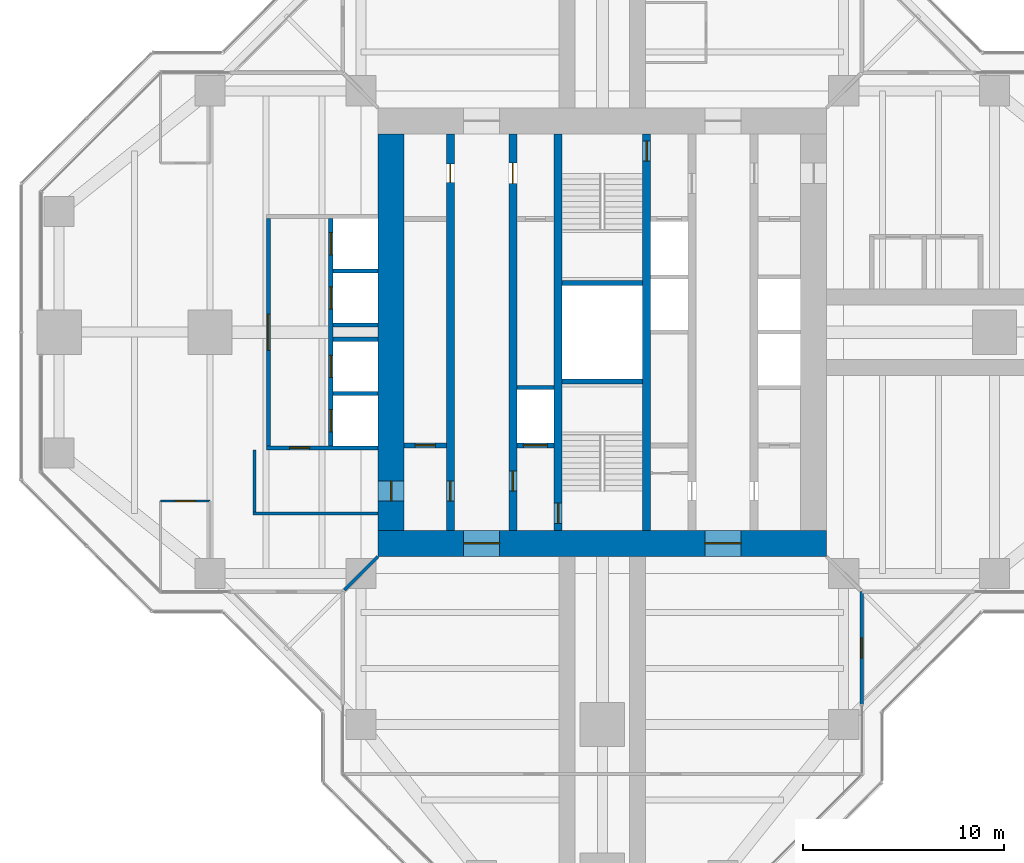
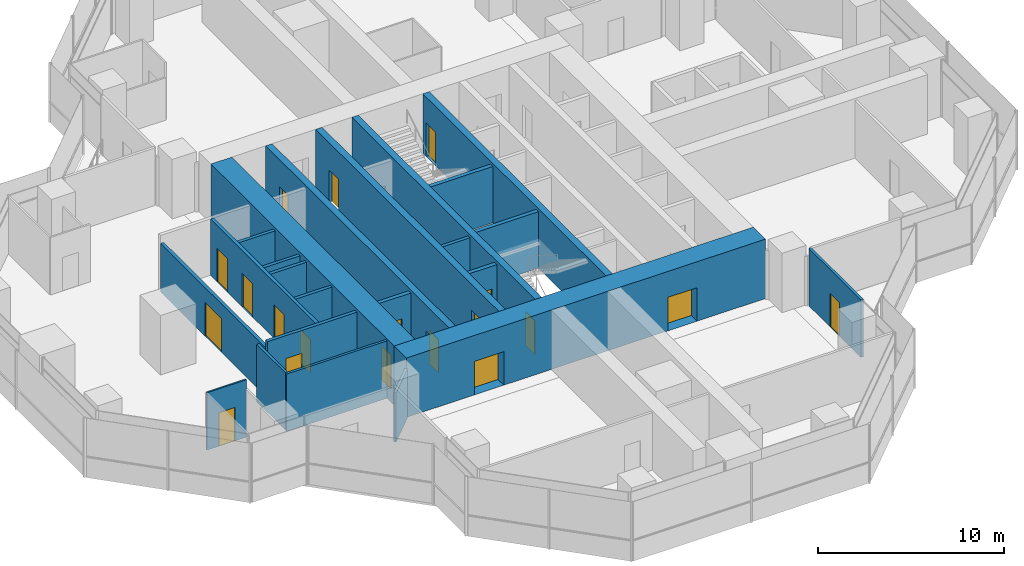
# One storey, part 13 of 17: 23 walls, 19 doors, 19 openings.
"""IFC4 building model written with IfcOpenShell, lengths in metres."""

from ifc_helpers import new_model, si_unit, direction, frame, frame_2d, origin, place, context, subcontext, project, spatial, rectangle, extrude, material, layer, layer_set, type_object, element, fill, save


model = new_model("IFC4")

# Units and contexts
model_context = context("Model", 3, precision=1e-05, world=origin(), true_north=direction((0.0, 1.0)))
body_context = subcontext(model_context, "Body", "Model", "MODEL_VIEW")
ifc_project = project(units=[si_unit("LENGTHUNIT", "METRE"), si_unit("AREAUNIT", "SQUARE_METRE"), si_unit("VOLUMEUNIT", "CUBIC_METRE"), si_unit("PLANEANGLEUNIT", "RADIAN"), si_unit("MASSUNIT", "GRAM", prefix="KILO")], contexts=[model_context])

# Site, building, storey
site_placement = place(None, origin())
site = spatial("IfcSite", under=ifc_project, at=site_placement, CompositionType="ELEMENT")
building_placement = place(site_placement, origin())
building = spatial("IfcBuilding", under=site, at=building_placement, Name="Mizan Broadcast Tower", CompositionType="ELEMENT")
storey_placement = place(building_placement, frame((0.0, 0.0, 212.699951171875)))
storey = spatial("IfcBuildingStorey", under=building, at=storey_placement, Name="L49", CompositionType="ELEMENT", Elevation=212.699951171875)

# Wall, openings, doors
ifc_material_1 = material(Name="Concrete C70/85", Category="concrete")
ifc_layer_1 = layer(ifc_material_1, 0.39990234375)
ifc_layer_set_1 = layer_set([ifc_layer_1], Name="Concrete C70/85")
wall_type_1 = type_object("IfcWallType", Name="CORE INTERNAL WALL 400", PredefinedType="SHEAR", material=ifc_layer_set_1)
wall_1_placement = place(storey_placement, frame((-7.550048828125, -9.85009765625, 0.0), z_axis=(0.0, 0.0, 1.0), x_axis=(0.0, 1.0, 0.0)))
wall_1 = element("IfcWall", 1, at=wall_1_placement, inside=storey, type_object=wall_type_1, Name="Core wall CORE/XW1", PredefinedType="SHEAR", context=body_context, shape_type="SweptSolid", body=[
    extrude(rectangle(XDim=19.7001953125, YDim=0.39990234375, at=frame_2d((9.85009765625, 0.0))), origin(), (0.0, 0.0, 1.0), 3.900146484375),
])
opening_1_placement = place(wall_1_placement, frame((1.449951171875, 0.0, 0.0)))
opening_1 = element("IfcOpeningElement", 2, at=opening_1_placement, cuts=wall_1, Name="Opening D10F", PredefinedType="OPENING", context=body_context, shape_type="SweptSolid", body=[
    extrude(rectangle(XDim=1.0, YDim=2.199951171875, at=frame_2d((0.5, 1.10009765625))), frame((0.0, 0.2099609375, 0.0), z_axis=(0.0, -1.0, 0.0), x_axis=(1.0, 0.0, 0.0)), (0.0, 0.0, 1.0), 0.419921875),
])
opening_2_placement = place(wall_1_placement, frame((17.300048828125, 0.0, 0.0)))
opening_2 = element("IfcOpeningElement", 3, at=opening_2_placement, cuts=wall_1, Name="Opening D09", PredefinedType="OPENING", context=body_context, shape_type="SweptSolid", body=[
    extrude(rectangle(XDim=0.89990234375, YDim=2.10009765625, at=frame_2d((0.449951171875, 1.050048828125))), frame((0.0, 0.2099609375, 0.0), z_axis=(0.0, -1.0, 0.0), x_axis=(1.0, 0.0, 0.0)), (0.0, 0.0, 1.0), 0.419921875),
])
ifc_material_2 = material(Name="Steel door leaf in steel frame", Category="steel")
door_type_1 = type_object("IfcDoorType", Name="FIRE DOOR 1000 FD90", OperationType="SINGLE_SWING_LEFT", PredefinedType="DOOR", material=ifc_material_2)
door_1_placement = place(opening_1_placement, origin())
door_1 = element("IfcDoor", 4, at=door_1_placement, inside=storey, type_object=door_type_1, Name="West core passage door", OperationType="SINGLE_SWING_LEFT", OverallHeight=2.199951171875, OverallWidth=1.0, PredefinedType="DOOR", context=body_context, shape_type="SweptSolid", body=[
    extrude(rectangle(XDim=1.0, YDim=2.199951171875, at=frame_2d((0.5, 1.10009765625))), frame((0.0, 0.02490234375, 0.0), z_axis=(0.0, -1.0, 0.0), x_axis=(1.0, 0.0, 0.0)), (0.0, 0.0, 1.0), 0.050048828125),
])
fill(opening_1, door_1)
ifc_material_3 = material(Name="Timber door leaf in aluminium frame", Category="wood")
door_type_2 = type_object("IfcDoorType", Name="TOILET DOOR 900", OperationType="SINGLE_SWING_LEFT", PredefinedType="DOOR", material=ifc_material_3)
door_2_placement = place(opening_2_placement, origin())
door_2 = element("IfcDoor", 5, at=door_2_placement, inside=storey, type_object=door_type_2, Name="Male WC door", OperationType="SINGLE_SWING_RIGHT", OverallHeight=2.10009765625, OverallWidth=0.89990234375, PredefinedType="DOOR", context=body_context, shape_type="SweptSolid", body=[
    extrude(rectangle(XDim=0.89990234375, YDim=2.10009765625, at=frame_2d((0.449951171875, 1.050048828125))), frame((0.0, 0.02490234375, 0.0), z_axis=(0.0, -1.0, 0.0), x_axis=(1.0, 0.0, 0.0)), (0.0, 0.0, 1.0), 0.050048828125),
])
fill(opening_2, door_2)

wall_2_placement = place(storey_placement, frame((-4.449951171875, -9.85009765625, 0.0), z_axis=(0.0, 0.0, 1.0), x_axis=(0.0, 1.0, 0.0)))
wall_2 = element("IfcWall", 6, at=wall_2_placement, inside=storey, type_object=wall_type_1, Name="Core wall CORE/XWH", PredefinedType="SHEAR", context=body_context, shape_type="SweptSolid", body=[
    extrude(rectangle(XDim=19.7001953125, YDim=0.39990234375, at=frame_2d((9.85009765625, 0.0))), origin(), (0.0, 0.0, 1.0), 3.900146484375),
])
opening_3_placement = place(wall_2_placement, frame((1.949951171875, 0.0, 0.0)))
opening_3 = element("IfcOpeningElement", 7, at=opening_3_placement, cuts=wall_2, Name="Opening D10F", PredefinedType="OPENING", context=body_context, shape_type="SweptSolid", body=[
    extrude(rectangle(XDim=1.0, YDim=2.199951171875, at=frame_2d((0.5, 1.10009765625))), frame((0.0, 0.2099609375, 0.0), z_axis=(0.0, -1.0, 0.0), x_axis=(1.0, 0.0, 0.0)), (0.0, 0.0, 1.0), 0.419921875),
])
opening_4_placement = place(wall_2_placement, frame((17.25, 0.0, 0.0)))
opening_4 = element("IfcOpeningElement", 8, at=opening_4_placement, cuts=wall_2, Name="Opening D10A", PredefinedType="OPENING", context=body_context, shape_type="SweptSolid", body=[
    extrude(rectangle(XDim=1.0, YDim=2.10009765625, at=frame_2d((0.5, 1.050048828125))), frame((0.0, 0.2099609375, 0.0), z_axis=(0.0, -1.0, 0.0), x_axis=(1.0, 0.0, 0.0)), (0.0, 0.0, 1.0), 0.419921875),
])
ifc_material_4 = material(Name="Timber door leaf in aluminium frame", Category="wood")
door_type_3 = type_object("IfcDoorType", Name="ACCESSIBLE WC DOOR 1000", OperationType="SLIDING_TO_LEFT", PredefinedType="DOOR", material=ifc_material_4)
door_3_placement = place(opening_4_placement, origin())
door_3 = element("IfcDoor", 9, at=door_3_placement, inside=storey, type_object=door_type_3, Name="Accessible WC door", OperationType="SLIDING_TO_LEFT", OverallHeight=2.10009765625, OverallWidth=1.0, PredefinedType="DOOR", context=body_context, shape_type="SweptSolid", body=[
    extrude(rectangle(XDim=1.0, YDim=2.10009765625, at=frame_2d((0.5, 1.050048828125))), frame((0.0, 0.02490234375, 0.0), z_axis=(0.0, -1.0, 0.0), x_axis=(1.0, 0.0, 0.0)), (0.0, 0.0, 1.0), 0.050048828125),
])
fill(opening_4, door_3)
door_4_placement = place(opening_3_placement, origin())
door_4 = element("IfcDoor", 10, at=door_4_placement, inside=storey, type_object=door_type_1, Name="Firefighting lobby A door", OperationType="SINGLE_SWING_LEFT", OverallHeight=2.199951171875, OverallWidth=1.0, PredefinedType="DOOR", context=body_context, shape_type="SweptSolid", body=[
    extrude(rectangle(XDim=1.0, YDim=2.199951171875, at=frame_2d((0.5, 1.10009765625))), frame((0.0, 0.02490234375, 0.0), z_axis=(0.0, -1.0, 0.0), x_axis=(1.0, 0.0, 0.0)), (0.0, 0.0, 1.0), 0.050048828125),
])
fill(opening_3, door_4)

# Wall, opening, door
wall_3_placement = place(storey_placement, frame((-2.199951171875, -9.85009765625, 0.0), z_axis=(0.0, 0.0, 1.0), x_axis=(0.0, 1.0, 0.0)))
wall_3 = element("IfcWall", 11, at=wall_3_placement, inside=storey, type_object=wall_type_1, Name="Core wall CORE/XW2", PredefinedType="SHEAR", context=body_context, shape_type="SweptSolid", body=[
    extrude(rectangle(XDim=19.7001953125, YDim=0.39990234375, at=frame_2d((9.85009765625, 0.0))), origin(), (0.0, 0.0, 1.0), 3.900146484375),
])
opening_5_placement = place(wall_3_placement, frame((0.35009765625, 0.0, 0.0)))
opening_5 = element("IfcOpeningElement", 12, at=opening_5_placement, cuts=wall_3, Name="Opening D10S", PredefinedType="OPENING", context=body_context, shape_type="SweptSolid", body=[
    extrude(rectangle(XDim=1.0, YDim=2.199951171875, at=frame_2d((0.5, 1.10009765625))), frame((0.0, 0.2099609375, 0.0), z_axis=(0.0, -1.0, 0.0), x_axis=(1.0, 0.0, 0.0)), (0.0, 0.0, 1.0), 0.419921875),
])
ifc_material_5 = material(Name="Steel door leaf in steel frame", Category="steel")
door_type_4 = type_object("IfcDoorType", Name="STAIR DOOR 1000 FD90S", OperationType="SINGLE_SWING_RIGHT", PredefinedType="DOOR", material=ifc_material_5)
door_5_placement = place(opening_5_placement, origin())
door_5 = element("IfcDoor", 13, at=door_5_placement, inside=storey, type_object=door_type_4, Name="Stair A door", OperationType="SINGLE_SWING_RIGHT", OverallHeight=2.199951171875, OverallWidth=1.0, PredefinedType="DOOR", context=body_context, shape_type="SweptSolid", body=[
    extrude(rectangle(XDim=1.0, YDim=2.199951171875, at=frame_2d((0.5, 1.10009765625))), frame((0.0, 0.02490234375, 0.0), z_axis=(0.0, -1.0, 0.0), x_axis=(1.0, 0.0, 0.0)), (0.0, 0.0, 1.0), 0.050048828125),
])
fill(opening_5, door_5)

wall_4_placement = place(storey_placement, frame((2.199951171875, 9.85009765625, 0.0), z_axis=(0.0, 0.0, 1.0), x_axis=(0.0, -1.0, 0.0)))
wall_4 = element("IfcWall", 14, at=wall_4_placement, inside=storey, type_object=wall_type_1, Name="Core wall CORE/XW2E", PredefinedType="SHEAR", context=body_context, shape_type="SweptSolid", body=[
    extrude(rectangle(XDim=19.7001953125, YDim=0.39990234375, at=frame_2d((9.85009765625, 0.0))), origin(), (0.0, 0.0, 1.0), 3.900146484375),
])
opening_6_placement = place(wall_4_placement, frame((0.35009765625, 0.0, 0.0)))
opening_6 = element("IfcOpeningElement", 15, at=opening_6_placement, cuts=wall_4, Name="Opening D10S", PredefinedType="OPENING", context=body_context, shape_type="SweptSolid", body=[
    extrude(rectangle(XDim=1.0, YDim=2.199951171875, at=frame_2d((0.5, 1.10009765625))), frame((0.0, 0.2099609375, 0.0), z_axis=(0.0, -1.0, 0.0), x_axis=(1.0, 0.0, 0.0)), (0.0, 0.0, 1.0), 0.419921875),
])
door_6_placement = place(opening_6_placement, origin())
door_6 = element("IfcDoor", 16, at=door_6_placement, inside=storey, type_object=door_type_4, Name="Stair B door", OperationType="SINGLE_SWING_RIGHT", OverallHeight=2.199951171875, OverallWidth=1.0, PredefinedType="DOOR", context=body_context, shape_type="SweptSolid", body=[
    extrude(rectangle(XDim=1.0, YDim=2.199951171875, at=frame_2d((0.5, 1.10009765625))), frame((0.0, 0.02490234375, 0.0), z_axis=(0.0, -1.0, 0.0), x_axis=(1.0, 0.0, 0.0)), (0.0, 0.0, 1.0), 0.050048828125),
])
fill(opening_6, door_6)

# Wall, openings, doors
ifc_material_6 = material(Name="Concrete C70/85", Category="concrete")
ifc_layer_2 = layer(ifc_material_6, 1.300048828125)
ifc_layer_set_2 = layer_set([ifc_layer_2], Name="Concrete C70/85")
wall_type_2 = type_object("IfcWallType", Name="CORE WALL 1300", PredefinedType="SHEAR", material=ifc_layer_set_2)
wall_5_placement = place(storey_placement, frame((11.14990234375, -10.5, 0.0), z_axis=(0.0, 0.0, 1.0), x_axis=(-1.0, 0.0, 0.0)))
wall_5 = element("IfcWall", 17, at=wall_5_placement, inside=storey, type_object=wall_type_2, Name="Core wall S L49", PredefinedType="SHEAR", context=body_context, shape_type="SweptSolid", body=[
    extrude(rectangle(XDim=22.2998046875, YDim=1.300048828125, at=frame_2d((11.14990234375, 0.0))), origin(), (0.0, 0.0, 1.0), 3.900146484375),
])
opening_7_placement = place(wall_5_placement, frame((16.25, 0.0, 0.0)))
opening_7 = element("IfcOpeningElement", 18, at=opening_7_placement, cuts=wall_5, Name="Opening D18F", PredefinedType="OPENING", context=body_context, shape_type="SweptSolid", body=[
    extrude(rectangle(XDim=1.800048828125, YDim=2.199951171875, at=frame_2d((0.89990234375, 1.10009765625))), frame((0.0, 0.659912109375, 0.0), z_axis=(0.0, -1.0, 0.0), x_axis=(1.0, 0.0, 0.0)), (0.0, 0.0, 1.0), 1.320068359375),
])
opening_8_placement = place(wall_5_placement, frame((4.25, 0.0, 0.0)))
opening_8 = element("IfcOpeningElement", 19, at=opening_8_placement, cuts=wall_5, Name="Opening D18F", PredefinedType="OPENING", context=body_context, shape_type="SweptSolid", body=[
    extrude(rectangle(XDim=1.800048828125, YDim=2.199951171875, at=frame_2d((0.89990234375, 1.10009765625))), frame((0.0, 0.659912109375, 0.0), z_axis=(0.0, -1.0, 0.0), x_axis=(1.0, 0.0, 0.0)), (0.0, 0.0, 1.0), 1.320068359375),
])
ifc_material_7 = material(Name="Steel door leaf in steel frame", Category="steel")
door_type_5 = type_object("IfcDoorType", Name="LOBBY DOUBLE DOOR 1800 FD90", OperationType="DOUBLE_DOOR_DOUBLE_SWING", PredefinedType="DOOR", material=ifc_material_7)
door_7_placement = place(opening_7_placement, origin())
door_7 = element("IfcDoor", 20, at=door_7_placement, inside=storey, type_object=door_type_5, Name="West lift lobby south door", OperationType="DOUBLE_DOOR_DOUBLE_SWING", OverallHeight=2.199951171875, OverallWidth=1.800048828125, PredefinedType="DOOR", context=body_context, shape_type="SweptSolid", body=[
    extrude(rectangle(XDim=1.800048828125, YDim=2.199951171875, at=frame_2d((0.89990234375, 1.10009765625))), frame((0.0, 0.02490234375, 0.0), z_axis=(0.0, -1.0, 0.0), x_axis=(1.0, 0.0, 0.0)), (0.0, 0.0, 1.0), 0.050048828125),
])
fill(opening_7, door_7)
door_8_placement = place(opening_8_placement, origin())
door_8 = element("IfcDoor", 21, at=door_8_placement, inside=storey, type_object=door_type_5, Name="East lift lobby south door", OperationType="DOUBLE_DOOR_DOUBLE_SWING", OverallHeight=2.199951171875, OverallWidth=1.800048828125, PredefinedType="DOOR", context=body_context, shape_type="SweptSolid", body=[
    extrude(rectangle(XDim=1.800048828125, YDim=2.199951171875, at=frame_2d((0.89990234375, 1.10009765625))), frame((0.0, 0.02490234375, 0.0), z_axis=(0.0, -1.0, 0.0), x_axis=(1.0, 0.0, 0.0)), (0.0, 0.0, 1.0), 0.050048828125),
])
fill(opening_8, door_8)

# Wall, opening, door
wall_6_placement = place(storey_placement, frame((-10.5, 9.85009765625, 0.0), z_axis=(0.0, 0.0, 1.0), x_axis=(0.0, -1.0, 0.0)))
wall_6 = element("IfcWall", 22, at=wall_6_placement, inside=storey, type_object=wall_type_2, Name="Core wall W L49", PredefinedType="SHEAR", context=body_context, shape_type="SweptSolid", body=[
    extrude(rectangle(XDim=19.7001953125, YDim=1.300048828125, at=frame_2d((9.85009765625, 0.0))), origin(), (0.0, 0.0, 1.0), 3.900146484375),
])
opening_9_placement = place(wall_6_placement, frame((17.25, 0.0, 0.0)))
opening_9 = element("IfcOpeningElement", 23, at=opening_9_placement, cuts=wall_6, Name="Opening D10F", PredefinedType="OPENING", context=body_context, shape_type="SweptSolid", body=[
    extrude(rectangle(XDim=1.0, YDim=2.199951171875, at=frame_2d((0.5, 1.10009765625))), frame((0.0, 0.659912109375, 0.0), z_axis=(0.0, -1.0, 0.0), x_axis=(1.0, 0.0, 0.0)), (0.0, 0.0, 1.0), 1.320068359375),
])
door_9_placement = place(opening_9_placement, origin())
door_9 = element("IfcDoor", 24, at=door_9_placement, inside=storey, type_object=door_type_1, Name="West core passage arm door", OperationType="SINGLE_SWING_RIGHT", OverallHeight=2.199951171875, OverallWidth=1.0, PredefinedType="DOOR", context=body_context, shape_type="SweptSolid", body=[
    extrude(rectangle(XDim=1.0, YDim=2.199951171875, at=frame_2d((0.5, 1.10009765625))), frame((0.0, 0.02490234375, 0.0), z_axis=(0.0, -1.0, 0.0), x_axis=(1.0, 0.0, 0.0)), (0.0, 0.0, 1.0), 0.050048828125),
])
fill(opening_9, door_9)

ifc_material_8 = material(Name="Aluminium framed glazed screen", Category="aluminium")
ifc_layer_3 = layer(ifc_material_8, 0.159912109375)
ifc_layer_set_3 = layer_set([ifc_layer_3], Name="Aluminium framed glazed screen")
wall_type_3 = type_object("IfcWallType", Name="GLAZED SCREEN WALL 160", PredefinedType="SOLIDWALL", material=ifc_layer_set_3)
wall_7_placement = place(storey_placement, frame((12.89990234375, -18.5, 0.0), z_axis=(0.0, 0.0, 1.0), x_axis=(0.0, 1.0, 0.0)))
wall_7 = element("IfcWall", 25, at=wall_7_placement, inside=storey, type_object=wall_type_3, Name="Winter garden screen L49 S", PredefinedType="SOLIDWALL", context=body_context, shape_type="SweptSolid", body=[
    extrude(rectangle(XDim=5.60009765625, YDim=0.159912109375, at=frame_2d((2.800048828125, 0.0))), origin(), (0.0, 0.0, 1.0), 3.77001953125),
])
opening_10_placement = place(wall_7_placement, frame((2.300048828125, 0.0, 0.0)))
opening_10 = element("IfcOpeningElement", 26, at=opening_10_placement, cuts=wall_7, Name="Opening WGD", PredefinedType="OPENING", context=body_context, shape_type="SweptSolid", body=[
    extrude(rectangle(XDim=1.0, YDim=2.199951171875, at=frame_2d((0.5, 1.10009765625))), frame((0.0, 0.08984375, 0.0), z_axis=(0.0, -1.0, 0.0), x_axis=(1.0, 0.0, 0.0)), (0.0, 0.0, 1.0), 0.179931640625),
])
ifc_material_9 = material(Name="Aluminium framed glazed door", Category="aluminium")
door_type_6 = type_object("IfcDoorType", Name="WINTER GARDEN DOOR 1000 GLAZED", OperationType="SINGLE_SWING_LEFT", PredefinedType="DOOR", material=ifc_material_9)
door_10_placement = place(opening_10_placement, origin())
door_10 = element("IfcDoor", 27, at=door_10_placement, inside=storey, type_object=door_type_6, Name="Winter garden door L49 S", OperationType="SINGLE_SWING_RIGHT", OverallHeight=2.199951171875, OverallWidth=1.0, PredefinedType="DOOR", context=body_context, shape_type="SweptSolid", body=[
    extrude(rectangle(XDim=1.0, YDim=2.199951171875, at=frame_2d((0.5, 1.10009765625))), frame((0.0, 0.02490234375, 0.0), z_axis=(0.0, -1.0, 0.0), x_axis=(1.0, 0.0, 0.0)), (0.0, 0.0, 1.0), 0.050048828125),
])
fill(opening_10, door_10)

# Wall
ifc_material_10 = material(Name="Concrete blockwork", Category="masonry")
ifc_layer_4 = layer(ifc_material_10, 0.199951171875)
ifc_layer_set_4 = layer_set([ifc_layer_4], Name="Concrete blockwork")
wall_type_4 = type_object("IfcWallType", Name="LIFT SHAFT WALL 200", PredefinedType="SOLIDWALL", material=ifc_layer_set_4)
wall_8_placement = place(storey_placement, frame((-4.25, -2.75, 0.0), z_axis=(0.0, 0.0, 1.0), x_axis=(1.0, 0.0, 0.0)))
element("IfcWall", 28, at=wall_8_placement, inside=storey, type_object=wall_type_4, Name="Lift shaft wall CORE/SW2-1", PredefinedType="SOLIDWALL", context=body_context, shape_type="SweptSolid", body=[
    extrude(rectangle(XDim=1.85009765625, YDim=0.199951171875, at=frame_2d((0.925048828125, 0.0))), origin(), (0.0, 0.0, 1.0), 3.699951171875),
])

# Wall, openings, doors
wall_9_placement = place(storey_placement, frame((-13.5, 5.64990234375, 0.0), z_axis=(0.0, 0.0, 1.0), x_axis=(0.0, -1.0, 0.0)))
wall_9 = element("IfcWall", 29, at=wall_9_placement, inside=storey, type_object=wall_type_4, Name="Lift shaft wall LC/F", PredefinedType="SOLIDWALL", context=body_context, shape_type="SweptSolid", body=[
    extrude(rectangle(XDim=11.2998046875, YDim=0.199951171875, at=frame_2d((5.64990234375, 0.0))), origin(), (0.0, 0.0, 1.0), 3.699951171875),
])
opening_11_placement = place(wall_9_placement, frame((0.699951171875, 0.0, 0.0)))
opening_11 = element("IfcOpeningElement", 30, at=opening_11_placement, cuts=wall_9, Name="Opening LD", PredefinedType="OPENING", context=body_context, shape_type="SweptSolid", body=[
    extrude(rectangle(XDim=1.10009765625, YDim=2.199951171875, at=frame_2d((0.550048828125, 1.10009765625))), frame((0.0, 0.10986328125, 0.0), z_axis=(0.0, -1.0, 0.0), x_axis=(1.0, 0.0, 0.0)), (0.0, 0.0, 1.0), 0.219970703125),
])
opening_12_placement = place(wall_9_placement, frame((3.39990234375, 0.0, 0.0)))
opening_12 = element("IfcOpeningElement", 31, at=opening_12_placement, cuts=wall_9, Name="Opening LD", PredefinedType="OPENING", context=body_context, shape_type="SweptSolid", body=[
    extrude(rectangle(XDim=1.10009765625, YDim=2.199951171875, at=frame_2d((0.550048828125, 1.10009765625))), frame((0.0, 0.10986328125, 0.0), z_axis=(0.0, -1.0, 0.0), x_axis=(1.0, 0.0, 0.0)), (0.0, 0.0, 1.0), 0.219970703125),
])
opening_13_placement = place(wall_9_placement, frame((6.800048828125, 0.0, 0.0)))
opening_13 = element("IfcOpeningElement", 32, at=opening_13_placement, cuts=wall_9, Name="Opening LD", PredefinedType="OPENING", context=body_context, shape_type="SweptSolid", body=[
    extrude(rectangle(XDim=1.10009765625, YDim=2.199951171875, at=frame_2d((0.550048828125, 1.10009765625))), frame((0.0, 0.10986328125, 0.0), z_axis=(0.0, -1.0, 0.0), x_axis=(1.0, 0.0, 0.0)), (0.0, 0.0, 1.0), 0.219970703125),
])
opening_14_placement = place(wall_9_placement, frame((9.5, 0.0, 0.0)))
opening_14 = element("IfcOpeningElement", 33, at=opening_14_placement, cuts=wall_9, Name="Opening LD", PredefinedType="OPENING", context=body_context, shape_type="SweptSolid", body=[
    extrude(rectangle(XDim=1.10009765625, YDim=2.199951171875, at=frame_2d((0.550048828125, 1.10009765625))), frame((0.0, 0.10986328125, 0.0), z_axis=(0.0, -1.0, 0.0), x_axis=(1.0, 0.0, 0.0)), (0.0, 0.0, 1.0), 0.219970703125),
])
ifc_material_11 = material(Name="Steel door leaf in steel frame", Category="steel")
door_type_7 = type_object("IfcDoorType", Name="LIFT LANDING DOOR 1100", OperationType="SLIDING_TO_LEFT", PredefinedType="DOOR", material=ifc_material_11)
door_11_placement = place(opening_11_placement, origin())
door_11 = element("IfcDoor", 34, at=door_11_placement, inside=storey, type_object=door_type_7, Name="Landing door LC1", OperationType="SLIDING_TO_LEFT", OverallHeight=2.199951171875, OverallWidth=1.10009765625, PredefinedType="DOOR", context=body_context, shape_type="SweptSolid", body=[
    extrude(rectangle(XDim=1.10009765625, YDim=2.199951171875, at=frame_2d((0.550048828125, 1.10009765625))), frame((0.0, 0.02490234375, 0.0), z_axis=(0.0, -1.0, 0.0), x_axis=(1.0, 0.0, 0.0)), (0.0, 0.0, 1.0), 0.050048828125),
])
fill(opening_11, door_11)
door_12_placement = place(opening_12_placement, origin())
door_12 = element("IfcDoor", 35, at=door_12_placement, inside=storey, type_object=door_type_7, Name="Landing door LC2", OperationType="SLIDING_TO_LEFT", OverallHeight=2.199951171875, OverallWidth=1.10009765625, PredefinedType="DOOR", context=body_context, shape_type="SweptSolid", body=[
    extrude(rectangle(XDim=1.10009765625, YDim=2.199951171875, at=frame_2d((0.550048828125, 1.10009765625))), frame((0.0, 0.02490234375, 0.0), z_axis=(0.0, -1.0, 0.0), x_axis=(1.0, 0.0, 0.0)), (0.0, 0.0, 1.0), 0.050048828125),
])
fill(opening_12, door_12)
door_13_placement = place(opening_13_placement, origin())
door_13 = element("IfcDoor", 36, at=door_13_placement, inside=storey, type_object=door_type_7, Name="Landing door LC3", OperationType="SLIDING_TO_LEFT", OverallHeight=2.199951171875, OverallWidth=1.10009765625, PredefinedType="DOOR", context=body_context, shape_type="SweptSolid", body=[
    extrude(rectangle(XDim=1.10009765625, YDim=2.199951171875, at=frame_2d((0.550048828125, 1.10009765625))), frame((0.0, 0.02490234375, 0.0), z_axis=(0.0, -1.0, 0.0), x_axis=(1.0, 0.0, 0.0)), (0.0, 0.0, 1.0), 0.050048828125),
])
fill(opening_13, door_13)
door_14_placement = place(opening_14_placement, origin())
door_14 = element("IfcDoor", 37, at=door_14_placement, inside=storey, type_object=door_type_7, Name="Landing door LC4", OperationType="SLIDING_TO_LEFT", OverallHeight=2.199951171875, OverallWidth=1.10009765625, PredefinedType="DOOR", context=body_context, shape_type="SweptSolid", body=[
    extrude(rectangle(XDim=1.10009765625, YDim=2.199951171875, at=frame_2d((0.550048828125, 1.10009765625))), frame((0.0, 0.02490234375, 0.0), z_axis=(0.0, -1.0, 0.0), x_axis=(1.0, 0.0, 0.0)), (0.0, 0.0, 1.0), 0.050048828125),
])
fill(opening_14, door_14)

# Wall, opening, door
wall_10_placement = place(storey_placement, frame((-11.14990234375, -5.75, 0.0), z_axis=(0.0, 0.0, 1.0), x_axis=(-1.0, 0.0, 0.0)))
wall_10 = element("IfcWall", 38, at=wall_10_placement, inside=storey, type_object=wall_type_4, Name="Lift shaft wall LC/S2", PredefinedType="SOLIDWALL", context=body_context, shape_type="SweptSolid", body=[
    extrude(rectangle(XDim=5.550048828125, YDim=0.199951171875, at=frame_2d((2.77490234375, 0.0))), origin(), (0.0, 0.0, 1.0), 3.699951171875),
])
opening_15_placement = place(wall_10_placement, frame((3.39990234375, 0.0, 0.0)))
opening_15 = element("IfcOpeningElement", 39, at=opening_15_placement, cuts=wall_10, Name="Opening D10F", PredefinedType="OPENING", context=body_context, shape_type="SweptSolid", body=[
    extrude(rectangle(XDim=1.0, YDim=2.199951171875, at=frame_2d((0.5, 1.10009765625))), frame((0.0, 0.10986328125, 0.0), z_axis=(0.0, -1.0, 0.0), x_axis=(1.0, 0.0, 0.0)), (0.0, 0.0, 1.0), 0.219970703125),
])
door_15_placement = place(opening_15_placement, origin())
door_15 = element("IfcDoor", 40, at=door_15_placement, inside=storey, type_object=door_type_1, Name="High-rise lobby corridor door", OperationType="SINGLE_SWING_RIGHT", OverallHeight=2.199951171875, OverallWidth=1.0, PredefinedType="DOOR", context=body_context, shape_type="SweptSolid", body=[
    extrude(rectangle(XDim=1.0, YDim=2.199951171875, at=frame_2d((0.5, 1.10009765625))), frame((0.0, 0.02490234375, 0.0), z_axis=(0.0, -1.0, 0.0), x_axis=(1.0, 0.0, 0.0)), (0.0, 0.0, 1.0), 0.050048828125),
])
fill(opening_15, door_15)

# Walls
for number, where, z_axis, x_axis, name in (
    (41, (-11.14990234375, 3.050048828125, 0.0), (0.0, 0.0, 1.0), (-1.0, 0.0, 0.0), "Lift shaft wall LC/SP1"),
    (42, (-11.14990234375, 0.35009765625, 0.0), (0.0, 0.0, 1.0), (-1.0, 0.0, 0.0), "Lift shaft wall LC/SP2"),
    (43, (-11.14990234375, -0.35009765625, 0.0), (0.0, 0.0, 1.0), (-1.0, 0.0, 0.0), "Lift shaft wall LC/SP3"),
    (44, (-11.14990234375, -3.050048828125, 0.0), (0.0, 0.0, 1.0), (-1.0, 0.0, 0.0), "Lift shaft wall LC/SP4"),
):
    element("IfcWall", number, at=place(storey_placement, frame(where, z_axis=z_axis, x_axis=x_axis)), inside=storey, type_object=wall_type_4, Name=name, PredefinedType="SOLIDWALL", context=body_context, shape_type="SweptSolid", body=[
        extrude(rectangle(XDim=2.25, YDim=0.199951171875, at=frame_2d((1.125, 0.0))), origin(), (0.0, 0.0, 1.0), 3.699951171875),
    ])

# Wall, opening, door
ifc_material_12 = material(Name="Concrete blockwork", Category="masonry")
ifc_layer_5 = layer(ifc_material_12, 0.25)
ifc_layer_set_5 = layer_set([ifc_layer_5], Name="Concrete blockwork")
wall_type_5 = type_object("IfcWallType", Name="LOBBY ENCLOSURE WALL 250", PredefinedType="SOLIDWALL", material=ifc_layer_set_5)
wall_11_placement = place(storey_placement, frame((-9.85009765625, -5.625, 0.0), z_axis=(0.0, 0.0, 1.0), x_axis=(1.0, 0.0, 0.0)))
wall_11 = element("IfcWall", 45, at=wall_11_placement, inside=storey, type_object=wall_type_5, Name="Lobby enclosure wall CORE/BW1S", PredefinedType="SOLIDWALL", context=body_context, shape_type="SweptSolid", body=[
    extrude(rectangle(XDim=2.10009765625, YDim=0.25, at=frame_2d((1.050048828125, 0.0))), origin(), (0.0, 0.0, 1.0), 3.699951171875),
])
opening_16_placement = place(wall_11_placement, frame((0.550048828125, 0.0, 0.0)))
opening_16 = element("IfcOpeningElement", 46, at=opening_16_placement, cuts=wall_11, Name="Opening D10F", PredefinedType="OPENING", context=body_context, shape_type="SweptSolid", body=[
    extrude(rectangle(XDim=1.0, YDim=2.199951171875, at=frame_2d((0.5, 1.10009765625))), frame((0.0, 0.135009765625, 0.0), z_axis=(0.0, -1.0, 0.0), x_axis=(1.0, 0.0, 0.0)), (0.0, 0.0, 1.0), 0.27001953125),
])
door_16_placement = place(opening_16_placement, origin())
door_16 = element("IfcDoor", 47, at=door_16_placement, inside=storey, type_object=door_type_1, Name="Comms equipment room door", OperationType="SINGLE_SWING_RIGHT", OverallHeight=2.199951171875, OverallWidth=1.0, PredefinedType="DOOR", context=body_context, shape_type="SweptSolid", body=[
    extrude(rectangle(XDim=1.0, YDim=2.199951171875, at=frame_2d((0.5, 1.10009765625))), frame((0.0, 0.02490234375, 0.0), z_axis=(0.0, -1.0, 0.0), x_axis=(1.0, 0.0, 0.0)), (0.0, 0.0, 1.0), 0.050048828125),
])
fill(opening_16, door_16)

wall_12_placement = place(storey_placement, frame((-4.25, -5.625, 0.0), z_axis=(0.0, 0.0, 1.0), x_axis=(1.0, 0.0, 0.0)))
wall_12 = element("IfcWall", 48, at=wall_12_placement, inside=storey, type_object=wall_type_5, Name="Lobby enclosure wall CORE/BW2S", PredefinedType="SOLIDWALL", context=body_context, shape_type="SweptSolid", body=[
    extrude(rectangle(XDim=1.85009765625, YDim=0.25, at=frame_2d((0.925048828125, 0.0))), origin(), (0.0, 0.0, 1.0), 3.699951171875),
])
opening_17_placement = place(wall_12_placement, frame((0.324951171875, 0.0, 0.0)))
opening_17 = element("IfcOpeningElement", 49, at=opening_17_placement, cuts=wall_12, Name="Opening LDF", PredefinedType="OPENING", context=body_context, shape_type="SweptSolid", body=[
    extrude(rectangle(XDim=1.199951171875, YDim=2.199951171875, at=frame_2d((0.60009765625, 1.10009765625))), frame((0.0, 0.135009765625, 0.0), z_axis=(0.0, -1.0, 0.0), x_axis=(1.0, 0.0, 0.0)), (0.0, 0.0, 1.0), 0.27001953125),
])
ifc_material_13 = material(Name="Steel door leaf in steel frame", Category="steel")
door_type_8 = type_object("IfcDoorType", Name="FIREFIGHTING LIFT LANDING DOOR 1200", OperationType="SLIDING_TO_LEFT", PredefinedType="DOOR", material=ifc_material_13)
door_17_placement = place(opening_17_placement, origin())
door_17 = element("IfcDoor", 50, at=door_17_placement, inside=storey, type_object=door_type_8, Name="Landing door FF1", OperationType="SLIDING_TO_LEFT", OverallHeight=2.199951171875, OverallWidth=1.199951171875, PredefinedType="DOOR", context=body_context, shape_type="SweptSolid", body=[
    extrude(rectangle(XDim=1.199951171875, YDim=2.199951171875, at=frame_2d((0.60009765625, 1.10009765625))), frame((0.0, 0.02490234375, 0.0), z_axis=(0.0, -1.0, 0.0), x_axis=(1.0, 0.0, 0.0)), (0.0, 0.0, 1.0), 0.050048828125),
])
fill(opening_17, door_17)

# Walls
for number, where, z_axis, x_axis, name in (
    (51, (-2.0, -2.449951171875, 0.0), (0.0, 0.0, 1.0), (1.0, 0.0, 0.0), "Lobby enclosure wall CORE/STA"),
    (52, (-2.0, 2.449951171875, 0.0), (0.0, 0.0, 1.0), (1.0, 0.0, 0.0), "Lobby enclosure wall CORE/STB"),
):
    element("IfcWall", number, at=place(storey_placement, frame(where, z_axis=z_axis, x_axis=x_axis)), inside=storey, type_object=wall_type_5, Name=name, PredefinedType="SOLIDWALL", context=body_context, shape_type="SweptSolid", body=[
        extrude(rectangle(XDim=4.0, YDim=0.25, at=frame_2d((2.0, 0.0))), origin(), (0.0, 0.0, 1.0), 3.699951171875),
    ])

# Wall, opening, door
wall_13_placement = place(storey_placement, frame((-16.60009765625, 5.64990234375, 0.0), z_axis=(0.0, 0.0, 1.0), x_axis=(0.0, -1.0, 0.0)))
wall_13 = element("IfcWall", 53, at=wall_13_placement, inside=storey, type_object=wall_type_5, Name="Lobby enclosure wall LC/LF", PredefinedType="SOLIDWALL", context=body_context, shape_type="SweptSolid", body=[
    extrude(rectangle(XDim=11.2998046875, YDim=0.199951171875, at=frame_2d((5.64990234375, 0.0))), origin(), (0.0, 0.0, 1.0), 3.179931640625),
])
opening_18_placement = place(wall_13_placement, frame((4.75, 0.0, 0.0)))
opening_18 = element("IfcOpeningElement", 54, at=opening_18_placement, cuts=wall_13, Name="Opening D18F", PredefinedType="OPENING", context=body_context, shape_type="SweptSolid", body=[
    extrude(rectangle(XDim=1.800048828125, YDim=2.199951171875, at=frame_2d((0.89990234375, 1.10009765625))), frame((0.0, 0.10986328125, 0.0), z_axis=(0.0, -1.0, 0.0), x_axis=(1.0, 0.0, 0.0)), (0.0, 0.0, 1.0), 0.219970703125),
])
door_18_placement = place(opening_18_placement, origin())
door_18 = element("IfcDoor", 55, at=door_18_placement, inside=storey, type_object=door_type_5, Name="High-rise lift lobby door", OperationType="DOUBLE_DOOR_DOUBLE_SWING", OverallHeight=2.199951171875, OverallWidth=1.800048828125, PredefinedType="DOOR", context=body_context, shape_type="SweptSolid", body=[
    extrude(rectangle(XDim=1.800048828125, YDim=2.199951171875, at=frame_2d((0.89990234375, 1.10009765625))), frame((0.0, 0.02490234375, 0.0), z_axis=(0.0, -1.0, 0.0), x_axis=(1.0, 0.0, 0.0)), (0.0, 0.0, 1.0), 0.050048828125),
])
fill(opening_18, door_18)

# Walls
ifc_material_14 = material(Name="Gypsum board on steel studs", Category="steel")
ifc_layer_6 = layer(ifc_material_14, 0.14990234375)
ifc_layer_set_6 = layer_set([ifc_layer_6], Name="Gypsum board on steel studs")
wall_type_6 = type_object("IfcWallType", Name="PARTITION 150", PredefinedType="PARTITIONING", material=ifc_layer_set_6)
wall_14_placement = place(storey_placement, frame((-11.14990234375, -11.14990234375, 0.0), z_axis=(0.0, 0.0, 1.0), x_axis=(-0.707106781187, -0.707106781187, 0.0)))
element("IfcWall", 56, at=wall_14_placement, inside=storey, type_object=wall_type_6, Name="Partition PT/DGWS", PredefinedType="PARTITIONING", context=body_context, shape_type="SweptSolid", body=[
    extrude(rectangle(XDim=2.362060546875, YDim=0.14990234375, at=frame_2d((1.18115234375, 0.0))), origin(), (0.0, 0.0, 1.0), 3.219970703125),
])
wall_15_placement = place(storey_placement, frame((-11.14990234375, -9.0, 0.0), z_axis=(0.0, 0.0, 1.0), x_axis=(-1.0, 0.0, 0.0)))
element("IfcWall", 57, at=wall_15_placement, inside=storey, type_object=wall_type_6, Name="Partition PT/LCC1", PredefinedType="PARTITIONING", context=body_context, shape_type="SweptSolid", body=[
    extrude(rectangle(XDim=6.22509765625, YDim=0.14990234375, at=frame_2d((3.112548828125, 0.0))), origin(), (0.0, 0.0, 1.0), 3.77001953125),
])
wall_16_placement = place(storey_placement, frame((-17.300048828125, -5.85009765625, 0.0), z_axis=(0.0, 0.0, 1.0), x_axis=(0.0, -1.0, 0.0)))
element("IfcWall", 58, at=wall_16_placement, inside=storey, type_object=wall_type_6, Name="Partition PT/LCC2", PredefinedType="PARTITIONING", context=body_context, shape_type="SweptSolid", body=[
    extrude(rectangle(XDim=3.074951171875, YDim=0.14990234375, at=frame_2d((1.53759765625, 0.0))), origin(), (0.0, 0.0, 1.0), 3.77001953125),
])

# Wall, opening, door
ifc_material_15 = material(Name="Glazed aluminium partition on aluminium track", Category="aluminium")
ifc_layer_7 = layer(ifc_material_15, 0.10009765625)
ifc_layer_set_7 = layer_set([ifc_layer_7], Name="Glazed aluminium partition on aluminium track")
wall_type_7 = type_object("IfcWallType", Name="PARTITION GLAZED OFFICE FRONT 100", PredefinedType="PARTITIONING", material=ifc_layer_set_7)
wall_17_placement = place(storey_placement, frame((-19.5, -8.39990234375, 0.0), z_axis=(0.0, 0.0, 1.0), x_axis=(-1.0, 0.0, 0.0)))
wall_17 = element("IfcWall", 59, at=wall_17_placement, inside=storey, type_object=wall_type_7, Name="Glazed office front PT/WCP0", PredefinedType="PARTITIONING", context=body_context, shape_type="SweptSolid", body=[
    extrude(rectangle(XDim=2.458984375, YDim=0.10009765625, at=frame_2d((1.2294921875, 0.0))), origin(), (0.0, 0.0, 1.0), 3.77001953125),
])
opening_19_placement = place(wall_17_placement, frame((0.7294921875, 0.0, 0.0)))
opening_19 = element("IfcOpeningElement", 60, at=opening_19_placement, cuts=wall_17, Name="Opening D10O", PredefinedType="OPENING", context=body_context, shape_type="SweptSolid", body=[
    extrude(rectangle(XDim=1.0, YDim=2.199951171875, at=frame_2d((0.5, 1.10009765625))), frame((0.0, 0.06005859375, 0.0), z_axis=(0.0, -1.0, 0.0), x_axis=(1.0, 0.0, 0.0)), (0.0, 0.0, 1.0), 0.1201171875),
])
ifc_material_16 = material(Name="Timber door leaf in aluminium frame", Category="wood")
door_type_9 = type_object("IfcDoorType", Name="OFFICE DOOR 1000 GLAZED", OperationType="SINGLE_SWING_LEFT", PredefinedType="DOOR", material=ifc_material_16)
door_19_placement = place(opening_19_placement, origin())
door_19 = element("IfcDoor", 61, at=door_19_placement, inside=storey, type_object=door_type_9, Name="Office door", OperationType="SINGLE_SWING_LEFT", OverallHeight=2.199951171875, OverallWidth=1.0, PredefinedType="DOOR", context=body_context, shape_type="SweptSolid", body=[
    extrude(rectangle(XDim=1.0, YDim=2.199951171875, at=frame_2d((0.5, 1.10009765625))), frame((0.0, 0.02490234375, 0.0), z_axis=(0.0, -1.0, 0.0), x_axis=(1.0, 0.0, 0.0)), (0.0, 0.0, 1.0), 0.050048828125),
])
fill(opening_19, door_19)

save(model, "model.ifc")
